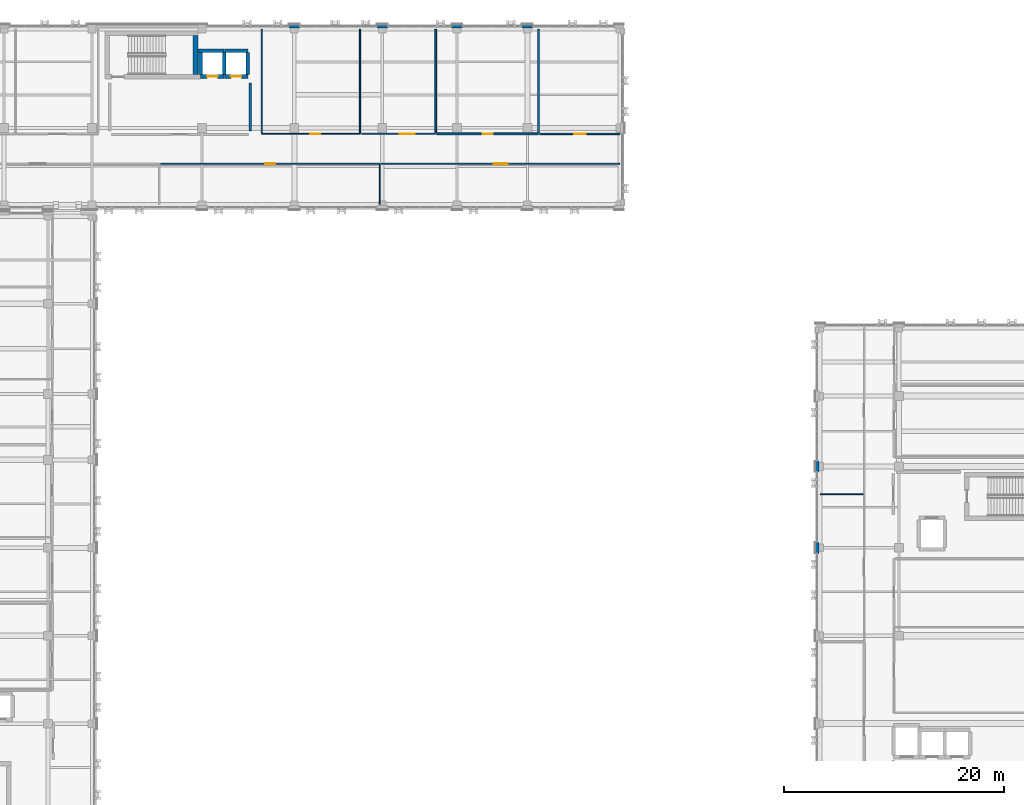
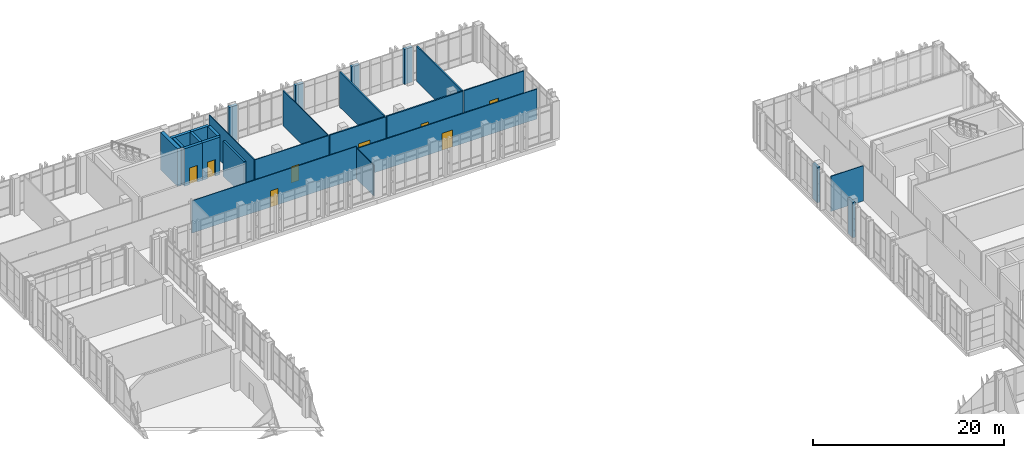
# One storey, part 157 of 189: 27 walls, 8 doors, 8 openings.
"""IFC4 building model written with IfcOpenShell, lengths in metres."""

from ifc_helpers import new_model, si_unit, direction, frame, frame_2d, origin, place, context, subcontext, project, spatial, rectangle, extrude, material, layer, layer_set, type_object, element, fill, save


model = new_model("IFC4")

# Units and contexts
model_context = context("Model", 3, precision=1e-05, world=origin(), true_north=direction((0.0, 1.0)))
body_context = subcontext(model_context, "Body", "Model", "MODEL_VIEW")
ifc_project = project(units=[si_unit("LENGTHUNIT", "METRE"), si_unit("AREAUNIT", "SQUARE_METRE"), si_unit("VOLUMEUNIT", "CUBIC_METRE"), si_unit("PLANEANGLEUNIT", "RADIAN"), si_unit("MASSUNIT", "GRAM", prefix="KILO")], contexts=[model_context])

# Site, building, storey
site_placement = place(None, origin())
site = spatial("IfcSite", under=ifc_project, at=site_placement, CompositionType="ELEMENT")
building_placement = place(site_placement, origin())
building = spatial("IfcBuilding", under=site, at=building_placement, Name="Qalavern Law Courts", CompositionType="ELEMENT")
storey_placement = place(building_placement, frame((0.0, 0.0, 5.39990234375)))
storey = spatial("IfcBuildingStorey", under=building, at=storey_placement, Name="L01", CompositionType="ELEMENT", Elevation=5.39990234375)

# Walls
ifc_material_1 = material(Name="Concrete C40/50", Category="concrete")
ifc_layer_1 = layer(ifc_material_1, 0.324951171875)
ifc_layer_set_1 = layer_set([ifc_layer_1], Name="Concrete C40/50")
wall_type_1 = type_object("IfcWallType", Name="ENV-EW-325", PredefinedType="SOLIDWALL", material=ifc_layer_set_1)
for number, where, z_axis, x_axis, name in (
    (1, (84.362548828125, 73.300048828125, 0.0), (0.0, 0.0, 1.0), (0.0, -1.0, 0.0), "V4 exterior pier wall L01 west 3"),
    (2, (84.362548828125, 65.89990234375, 0.0), (0.0, 0.0, 1.0), (0.0, -1.0, 0.0), "V4 exterior pier wall L01 west 4"),
    (3, (58.5, 112.83740234375, 0.0), (0.0, 0.0, 1.0), (-1.0, 0.0, 0.0), "V5 exterior pier wall L01 north 2"),
    (4, (52.10009765625, 112.83740234375, 0.0), (0.0, 0.0, 1.0), (-1.0, 0.0, 0.0), "V5 exterior pier wall L01 north 3"),
    (5, (45.300048828125, 112.83740234375, 0.0), (0.0, 0.0, 1.0), (-1.0, 0.0, 0.0), "V5 exterior pier wall L01 north 4"),
    (6, (37.300048828125, 112.83740234375, 0.0), (0.0, 0.0, 1.0), (-1.0, 0.0, 0.0), "V5 exterior pier wall L01 north 5"),
):
    element("IfcWall", number, at=place(storey_placement, frame(where, z_axis=z_axis, x_axis=x_axis)), inside=storey, type_object=wall_type_1, Name=name, PredefinedType="SOLIDWALL", context=body_context, shape_type="SweptSolid", body=[
        extrude(rectangle(XDim=1.0, YDim=0.324951171875, at=frame_2d((0.5, 0.0))), origin(), (0.0, 0.0, 1.0), 4.510009765625),
    ])
ifc_material_2 = material(Name="Concrete C45/55", Category="concrete")
ifc_layer_2 = layer(ifc_material_2, 0.4150390625)
ifc_layer_set_2 = layer_set([ifc_layer_2], Name="Concrete C45/55")
wall_type_2 = type_object("IfcWallType", Name="INT-CW-415", PredefinedType="SHEAR", material=ifc_layer_set_2)
wall_1_placement = place(storey_placement, frame((27.8076171875, 108.449951171875, 0.0), z_axis=(0.0, 0.0, 1.0), x_axis=(0.0, 1.0, 0.0)))
element("IfcWall", 7, at=wall_1_placement, inside=storey, type_object=wall_type_2, Name="Core K3 stair shear wall L01 east", PredefinedType="SHEAR", context=body_context, shape_type="SweptSolid", body=[
    extrude(rectangle(XDim=3.550048828125, YDim=0.4150390625, at=frame_2d((1.77490234375, 0.0))), origin(), (0.0, 0.0, 1.0), 4.800048828125),
])
ifc_layer_3 = layer(ifc_material_1, 0.22509765625)
ifc_layer_set_3 = layer_set([ifc_layer_3], Name="Concrete C40/50")
wall_type_3 = type_object("IfcWallType", Name="INT-FW-225", PredefinedType="PARTITIONING", material=ifc_layer_set_3)
wall_2_placement = place(storey_placement, frame((32.800048828125, 103.300048828125, 0.0), z_axis=(0.0, 0.0, 1.0), x_axis=(0.0, 1.0, 0.0)))
element("IfcWall", 8, at=wall_2_placement, inside=storey, type_object=wall_type_3, Name="Core K3 lobby return wall L01 east", PredefinedType="PARTITIONING", context=body_context, shape_type="SweptSolid", body=[
    extrude(rectangle(XDim=4.39990234375, YDim=0.22509765625, at=frame_2d((2.199951171875, 0.0))), origin(), (0.0, 0.0, 1.0), 4.510009765625),
])
ifc_material_3 = material(Name="Gypsum shaft/chase partition")
ifc_layer_4 = layer(ifc_material_3, 0.092041015625)
ifc_layer_set_4 = layer_set([ifc_layer_4], Name="Gypsum shaft/chase partition")
wall_type_4 = type_object("IfcWallType", Name="INT-PW-092", PredefinedType="PARTITIONING", material=ifc_layer_set_4)
wall_3_placement = place(storey_placement, frame((84.639892578125, 70.25390625, 0.0), z_axis=(0.0, 0.0, 1.0), x_axis=(1.0, 0.0, 0.0)))
element("IfcWall", 9, at=wall_3_placement, inside=storey, type_object=wall_type_4, Name="Commercial Courtroom cross partition L01 north", PredefinedType="PARTITIONING", context=body_context, shape_type="SweptSolid", body=[
    extrude(rectangle(XDim=3.93408203125, YDim=0.092041015625, at=frame_2d((1.967041015625, 0.0))), origin(), (0.0, 0.0, 1.0), 4.510009765625),
])

# Wall, opening, door
wall_4_placement = place(storey_placement, frame((24.632080078125, 100.340087890625, 0.0), z_axis=(0.0, 0.0, 1.0), x_axis=(1.0, 0.0, 0.0)))
wall_4 = element("IfcWall", 10, at=wall_4_placement, inside=storey, type_object=wall_type_4, Name="Legal Bookstack Gallery corridor partition L01", PredefinedType="PARTITIONING", context=body_context, shape_type="SweptSolid", body=[
    extrude(rectangle(XDim=19.948974609375, YDim=0.092041015625, at=frame_2d((9.974609375, 0.0))), origin(), (0.0, 0.0, 1.0), 4.130126953125),
])
opening_1_placement = place(wall_4_placement, frame((9.509521484375, 0.0, 0.0)))
opening_1 = element("IfcOpeningElement", 11, at=opening_1_placement, cuts=wall_4, Name="Opening L01-D351", PredefinedType="OPENING", context=body_context, shape_type="SweptSolid", body=[
    extrude(rectangle(XDim=0.929931640625, YDim=2.080078125, at=frame_2d((0.46484375, 1.0400390625))), frame((0.0, 0.06103515625, 0.0), z_axis=(0.0, -1.0, 0.0), x_axis=(1.0, 0.0, 0.0)), (0.0, 0.0, 1.0), 0.121826171875),
])
ifc_material_4 = material(Name="Steel Legal Archive Vault door", Category="steel")
door_type_1 = type_object("IfcDoorType", Name="INT-ID-930x2080", OperationType="NOTDEFINED", PredefinedType="DOOR", material=ifc_material_4)
door_1_placement = place(opening_1_placement, frame((0.929931640625, 0.0, 0.0), z_axis=(0.0, 0.0, 1.0), x_axis=(-1.0, 0.0, 0.0)))
door_1 = element("IfcDoor", 12, at=door_1_placement, inside=storey, type_object=door_type_1, Name="Legal Bookstack Gallery door L01", OperationType="SINGLE_SWING_LEFT", OverallHeight=2.080078125, OverallWidth=0.929931640625, PredefinedType="DOOR", context=body_context, shape_type="SweptSolid", body=[
    extrude(rectangle(XDim=0.929931640625, YDim=2.080078125, at=frame_2d((0.46484375, 1.0400390625))), frame((0.0, 0.02490234375, 0.0), z_axis=(0.0, -1.0, 0.0), x_axis=(1.0, 0.0, 0.0)), (0.0, 0.0, 1.0), 0.050048828125),
])
fill(opening_1, door_1)

# Wall
wall_5_placement = place(storey_placement, frame((44.5810546875, 96.639892578125, 0.0), z_axis=(0.0, 0.0, 1.0), x_axis=(0.0, 1.0, 0.0)))
element("IfcWall", 13, at=wall_5_placement, inside=storey, type_object=wall_type_4, Name="Legal Bookstack Gallery cross partition L01 east", PredefinedType="PARTITIONING", context=body_context, shape_type="SweptSolid", body=[
    extrude(rectangle(XDim=3.634033203125, YDim=0.092041015625, at=frame_2d((1.81689453125, 0.0))), origin(), (0.0, 0.0, 1.0), 3.940185546875),
])

# Wall, opening, door
ifc_material_5 = material(Name="Gypsum sanitary partition")
ifc_layer_5 = layer(ifc_material_5, 0.10205078125)
ifc_layer_set_5 = layer_set([ifc_layer_5], Name="Gypsum sanitary partition")
wall_type_5 = type_object("IfcWallType", Name="INT-PW-102", PredefinedType="PARTITIONING", material=ifc_layer_set_5)
wall_6_placement = place(storey_placement, frame((33.840087890625, 103.06005859375, 0.0), z_axis=(0.0, 0.0, 1.0), x_axis=(1.0, 0.0, 0.0)))
wall_6 = element("IfcWall", 14, at=wall_6_placement, inside=storey, type_object=wall_type_5, Name="Accessible WC corridor partition L01", PredefinedType="PARTITIONING", context=body_context, shape_type="SweptSolid", body=[
    extrude(rectangle(XDim=8.93994140625, YDim=0.10205078125, at=frame_2d((4.469970703125, 0.0))), origin(), (0.0, 0.0, 1.0), 4.510009765625),
])
opening_2_placement = place(wall_6_placement, frame((4.39990234375, 0.0, 0.0)))
opening_2 = element("IfcOpeningElement", 15, at=opening_2_placement, cuts=wall_6, Name="Opening L01-D353", PredefinedType="OPENING", context=body_context, shape_type="SweptSolid", body=[
    extrude(rectangle(XDim=0.93994140625, YDim=2.070068359375, at=frame_2d((0.469970703125, 1.03515625))), frame((0.0, 0.06591796875, 0.0), z_axis=(0.0, -1.0, 0.0), x_axis=(1.0, 0.0, 0.0)), (0.0, 0.0, 1.0), 0.1318359375),
])
ifc_material_6 = material(Name="Accessible WC outward-clear door")
door_type_2 = type_object("IfcDoorType", Name="INT-ID-940x2070", OperationType="NOTDEFINED", PredefinedType="DOOR", material=ifc_material_6)
door_2_placement = place(opening_2_placement, origin())
door_2 = element("IfcDoor", 16, at=door_2_placement, inside=storey, type_object=door_type_2, Name="Accessible WC door L01", OperationType="SINGLE_SWING_LEFT", OverallHeight=2.070068359375, OverallWidth=0.93994140625, PredefinedType="DOOR", context=body_context, shape_type="SweptSolid", body=[
    extrude(rectangle(XDim=0.93994140625, YDim=2.070068359375, at=frame_2d((0.469970703125, 1.03515625))), frame((0.0, 0.02490234375, 0.0), z_axis=(0.0, -1.0, 0.0), x_axis=(1.0, 0.0, 0.0)), (0.0, 0.0, 1.0), 0.050048828125),
])
fill(opening_2, door_2)

# Walls
for number, where, z_axis, x_axis, name in (
    (17, (33.840087890625, 103.131103515625, 0.0), (0.0, 0.0, 1.0), (0.0, 1.0, 0.0), "Accessible WC cross partition L01 west"),
    (18, (42.780029296875, 103.131103515625, 0.0), (0.0, 0.0, 1.0), (0.0, 1.0, 0.0), "Accessible WC cross partition L01 east"),
):
    element("IfcWall", number, at=place(storey_placement, frame(where, z_axis=z_axis, x_axis=x_axis)), inside=storey, type_object=wall_type_5, Name=name, PredefinedType="PARTITIONING", context=body_context, shape_type="SweptSolid", body=[
        extrude(rectangle(XDim=9.428955078125, YDim=0.10205078125, at=frame_2d((4.71435546875, 0.0))), origin(), (0.0, 0.0, 1.0), 4.510009765625),
    ])

# Wall, opening, door
ifc_material_7 = material(Name="Gypsum stud partition")
ifc_layer_6 = layer(ifc_material_7, 0.112060546875)
ifc_layer_set_6 = layer_set([ifc_layer_6], Name="Gypsum stud partition")
wall_type_6 = type_object("IfcWallType", Name="INT-PW-112", PredefinedType="PARTITIONING", material=ifc_layer_set_6)
wall_7_placement = place(storey_placement, frame((44.700927734375, 100.340087890625, 0.0), z_axis=(0.0, 0.0, 1.0), x_axis=(1.0, 0.0, 0.0)))
wall_7 = element("IfcWall", 19, at=wall_7_placement, inside=storey, type_object=wall_type_6, Name="Legal Research Room corridor partition L01", PredefinedType="PARTITIONING", context=body_context, shape_type="SweptSolid", body=[
    extrude(rectangle(XDim=21.718994140625, YDim=0.112060546875, at=frame_2d((10.859375, 0.0))), origin(), (0.0, 0.0, 1.0), 3.840087890625),
])
opening_3_placement = place(wall_7_placement, frame((10.219482421875, 0.0, 0.0)))
opening_3 = element("IfcOpeningElement", 20, at=opening_3_placement, cuts=wall_7, Name="Opening L01-D352", PredefinedType="OPENING", context=body_context, shape_type="SweptSolid", body=[
    extrude(rectangle(XDim=1.280029296875, YDim=2.179931640625, at=frame_2d((0.64013671875, 1.08984375))), frame((0.0, 0.07080078125, 0.0), z_axis=(0.0, -1.0, 0.0), x_axis=(1.0, 0.0, 0.0)), (0.0, 0.0, 1.0), 0.141845703125),
])
ifc_material_8 = material(Name="Wide oak Judicial Conference door")
door_type_3 = type_object("IfcDoorType", Name="INT-ID-1280x2180", OperationType="NOTDEFINED", PredefinedType="DOOR", material=ifc_material_8)
door_3_placement = place(opening_3_placement, frame((1.280029296875, 0.0, 0.0), z_axis=(0.0, 0.0, 1.0), x_axis=(-1.0, 0.0, 0.0)))
door_3 = element("IfcDoor", 21, at=door_3_placement, inside=storey, type_object=door_type_3, Name="Legal Research Room door L01", OperationType="SINGLE_SWING_RIGHT", OverallHeight=2.179931640625, OverallWidth=1.280029296875, PredefinedType="DOOR", context=body_context, shape_type="SweptSolid", body=[
    extrude(rectangle(XDim=1.280029296875, YDim=2.179931640625, at=frame_2d((0.64013671875, 1.08984375))), frame((0.0, 0.02490234375, 0.0), z_axis=(0.0, -1.0, 0.0), x_axis=(1.0, 0.0, 0.0)), (0.0, 0.0, 1.0), 0.050048828125),
])
fill(opening_3, door_3)

ifc_layer_7 = layer(ifc_material_7, 0.14208984375)
ifc_layer_set_7 = layer_set([ifc_layer_7], Name="Gypsum stud partition")
wall_type_7 = type_object("IfcWallType", Name="INT-PW-142", PredefinedType="PARTITIONING", material=ifc_layer_set_7)
wall_8_placement = place(storey_placement, frame((59.1298828125, 103.06005859375, 0.0), z_axis=(0.0, 0.0, 1.0), x_axis=(1.0, 0.0, 0.0)))
wall_8 = element("IfcWall", 22, at=wall_8_placement, inside=storey, type_object=wall_type_7, Name="Legal Research Room corridor partition L01", PredefinedType="PARTITIONING", context=body_context, shape_type="SweptSolid", body=[
    extrude(rectangle(XDim=7.2900390625, YDim=0.14208984375, at=frame_2d((3.64501953125, 0.0))), origin(), (0.0, 0.0, 1.0), 4.510009765625),
])
opening_4_placement = place(wall_8_placement, frame((3.114990234375, 0.0, 0.0)))
opening_4 = element("IfcOpeningElement", 23, at=opening_4_placement, cuts=wall_8, Name="Opening L01-D356", PredefinedType="OPENING", context=body_context, shape_type="SweptSolid", body=[
    extrude(rectangle(XDim=1.06005859375, YDim=2.1201171875, at=frame_2d((0.530029296875, 1.06005859375))), frame((0.0, 0.0859375, 0.0), z_axis=(0.0, -1.0, 0.0), x_axis=(1.0, 0.0, 0.0)), (0.0, 0.0, 1.0), 0.171875),
])
ifc_material_9 = material(Name="Solid oak Trial Judges' Chambers door")
door_type_4 = type_object("IfcDoorType", Name="INT-ID-1060x2120", OperationType="NOTDEFINED", PredefinedType="DOOR", material=ifc_material_9)
door_4_placement = place(opening_4_placement, origin())
door_4 = element("IfcDoor", 24, at=door_4_placement, inside=storey, type_object=door_type_4, Name="Legal Research Room door L01", OperationType="SINGLE_SWING_LEFT", OverallHeight=2.1201171875, OverallWidth=1.06005859375, PredefinedType="DOOR", context=body_context, shape_type="SweptSolid", body=[
    extrude(rectangle(XDim=1.06005859375, YDim=2.1201171875, at=frame_2d((0.530029296875, 1.06005859375))), frame((0.0, 0.02490234375, 0.0), z_axis=(0.0, -1.0, 0.0), x_axis=(1.0, 0.0, 0.0)), (0.0, 0.0, 1.0), 0.050048828125),
])
fill(opening_4, door_4)

ifc_layer_8 = layer(ifc_material_7, 0.162109375)
ifc_layer_set_8 = layer_set([ifc_layer_8], Name="Gypsum stud partition")
wall_type_8 = type_object("IfcWallType", Name="INT-PW-162", PredefinedType="PARTITIONING", material=ifc_layer_set_8)
wall_9_placement = place(storey_placement, frame((42.89990234375, 103.06005859375, 0.0), z_axis=(0.0, 0.0, 1.0), x_axis=(1.0, 0.0, 0.0)))
wall_9 = element("IfcWall", 25, at=wall_9_placement, inside=storey, type_object=wall_type_8, Name="Law Library Reading Room corridor partition L01", PredefinedType="PARTITIONING", context=body_context, shape_type="SweptSolid", body=[
    extrude(rectangle(XDim=6.757080078125, YDim=0.162109375, at=frame_2d((3.37841796875, 0.0))), origin(), (0.0, 0.0, 1.0), 4.510009765625),
])
opening_5_placement = place(wall_9_placement, frame((3.478515625, 0.0, 0.0)))
opening_5 = element("IfcOpeningElement", 26, at=opening_5_placement, cuts=wall_9, Name="Opening L01-D354", PredefinedType="OPENING", context=body_context, shape_type="SweptSolid", body=[
    extrude(rectangle(XDim=1.39990234375, YDim=2.199951171875, at=frame_2d((0.699951171875, 1.10009765625))), frame((0.0, 0.095947265625, 0.0), z_axis=(0.0, -1.0, 0.0), x_axis=(1.0, 0.0, 0.0)), (0.0, 0.0, 1.0), 0.19189453125),
])
ifc_material_10 = material(Name="Oak double Case Registry door")
door_type_5 = type_object("IfcDoorType", Name="INT-ID-1400x2200", OperationType="DOUBLE_DOOR_SINGLE_SWING", PredefinedType="DOOR", material=ifc_material_10)
door_5_placement = place(opening_5_placement, origin())
door_5 = element("IfcDoor", 27, at=door_5_placement, inside=storey, type_object=door_type_5, Name="Law Library Reading Room door L01", OperationType="DOUBLE_DOOR_SINGLE_SWING", OverallHeight=2.199951171875, OverallWidth=1.39990234375, PredefinedType="DOOR", context=body_context, shape_type="SweptSolid", body=[
    extrude(rectangle(XDim=1.39990234375, YDim=2.199951171875, at=frame_2d((0.699951171875, 1.10009765625))), frame((0.0, 0.02490234375, 0.0), z_axis=(0.0, -1.0, 0.0), x_axis=(1.0, 0.0, 0.0)), (0.0, 0.0, 1.0), 0.050048828125),
])
fill(opening_5, door_5)

# Wall
wall_10_placement = place(storey_placement, frame((49.656982421875, 103.160888671875, 0.0), z_axis=(0.0, 0.0, 1.0), x_axis=(0.0, 1.0, 0.0)))
element("IfcWall", 28, at=wall_10_placement, inside=storey, type_object=wall_type_8, Name="Law Library Reading Room cross partition L01 east", PredefinedType="PARTITIONING", context=body_context, shape_type="SweptSolid", body=[
    extrude(rectangle(XDim=9.399169921875, YDim=0.162109375, at=frame_2d((4.69970703125, 0.0))), origin(), (0.0, 0.0, 1.0), 4.510009765625),
])

# Wall, opening, door
ifc_material_11 = material(Name="Gypsum acoustic stud partition")
ifc_layer_9 = layer(ifc_material_11, 0.174072265625)
ifc_layer_set_9 = layer_set([ifc_layer_9], Name="Gypsum acoustic stud partition")
wall_type_9 = type_object("IfcWallType", Name="INT-PW-174", PredefinedType="PARTITIONING", material=ifc_layer_set_9)
wall_11_placement = place(storey_placement, frame((49.777099609375, 103.06005859375, 0.0), z_axis=(0.0, 0.0, 1.0), x_axis=(1.0, 0.0, 0.0)))
wall_11 = element("IfcWall", 29, at=wall_11_placement, inside=storey, type_object=wall_type_9, Name="Legal Bookstack Gallery corridor partition L01", PredefinedType="PARTITIONING", context=body_context, shape_type="SweptSolid", body=[
    extrude(rectangle(XDim=9.23291015625, YDim=0.174072265625, at=frame_2d((4.616455078125, 0.0))), origin(), (0.0, 0.0, 1.0), 4.510009765625),
])
opening_6_placement = place(wall_11_placement, frame((4.151611328125, 0.0, 0.0)))
opening_6 = element("IfcOpeningElement", 30, at=opening_6_placement, cuts=wall_11, Name="Opening L01-D355", PredefinedType="OPENING", context=body_context, shape_type="SweptSolid", body=[
    extrude(rectangle(XDim=0.929931640625, YDim=2.080078125, at=frame_2d((0.46484375, 1.0400390625))), frame((0.0, 0.10205078125, 0.0), z_axis=(0.0, -1.0, 0.0), x_axis=(1.0, 0.0, 0.0)), (0.0, 0.0, 1.0), 0.203857421875),
])
door_6_placement = place(opening_6_placement, origin())
door_6 = element("IfcDoor", 31, at=door_6_placement, inside=storey, type_object=door_type_1, Name="Legal Bookstack Gallery door L01", OperationType="SINGLE_SWING_RIGHT", OverallHeight=2.080078125, OverallWidth=0.929931640625, PredefinedType="DOOR", context=body_context, shape_type="SweptSolid", body=[
    extrude(rectangle(XDim=0.929931640625, YDim=2.080078125, at=frame_2d((0.46484375, 1.0400390625))), frame((0.0, 0.02490234375, 0.0), z_axis=(0.0, -1.0, 0.0), x_axis=(1.0, 0.0, 0.0)), (0.0, 0.0, 1.0), 0.050048828125),
])
fill(opening_6, door_6)

# Wall
wall_12_placement = place(storey_placement, frame((59.010009765625, 103.1669921875, 0.0), z_axis=(0.0, 0.0, 1.0), x_axis=(0.0, 1.0, 0.0)))
element("IfcWall", 32, at=wall_12_placement, inside=storey, type_object=wall_type_9, Name="Legal Bookstack Gallery cross partition L01 east", PredefinedType="PARTITIONING", context=body_context, shape_type="SweptSolid", body=[
    extrude(rectangle(XDim=9.39306640625, YDim=0.174072265625, at=frame_2d((4.696533203125, 0.0))), origin(), (0.0, 0.0, 1.0), 4.510009765625),
])

# Wall, opening, door
ifc_layer_10 = layer(ifc_material_2, 0.344970703125)
ifc_layer_set_10 = layer_set([ifc_layer_10], Name="Concrete C45/55")
wall_type_10 = type_object("IfcWallType", Name="INT-SW-345", PredefinedType="SHEAR", material=ifc_layer_set_10)
wall_13_placement = place(storey_placement, frame((28.277587890625, 108.277587890625, 0.0), z_axis=(0.0, 0.0, 1.0), x_axis=(1.0, 0.0, 0.0)))
wall_13 = element("IfcWall", 33, at=wall_13_placement, inside=storey, type_object=wall_type_10, Name="Lift LF-J1 shaft wall L01 south", PredefinedType="SHEAR", context=body_context, shape_type="SweptSolid", body=[
    extrude(rectangle(XDim=2.14501953125, YDim=0.344970703125, at=frame_2d((1.072509765625, 0.0))), origin(), (0.0, 0.0, 1.0), 4.800048828125),
])
opening_7_placement = place(wall_13_placement, frame((0.592529296875, 0.0, 0.0)))
opening_7 = element("IfcOpeningElement", 34, at=opening_7_placement, cuts=wall_13, Name="Opening LD-LF-J1-L01", PredefinedType="OPENING", context=body_context, shape_type="SweptSolid", body=[
    extrude(rectangle(XDim=0.9599609375, YDim=2.1201171875, at=frame_2d((0.47998046875, 1.06005859375))), frame((0.0, 0.1875, 0.0), z_axis=(0.0, -1.0, 0.0), x_axis=(1.0, 0.0, 0.0)), (0.0, 0.0, 1.0), 0.374755859375),
])
ifc_material_12 = material(Name="Heavy-gauge steel judicial lift sliding landing door", Category="steel")
door_type_6 = type_object("IfcDoorType", Name="INT-LD-960x2120", OperationType="SLIDING_TO_LEFT", PredefinedType="DOOR", material=ifc_material_12)
door_7_placement = place(opening_7_placement, origin())
door_7 = element("IfcDoor", 35, at=door_7_placement, inside=storey, type_object=door_type_6, Name="Lift LF-J1 sliding landing door L01", OperationType="SLIDING_TO_LEFT", OverallHeight=2.1201171875, OverallWidth=0.9599609375, PredefinedType="DOOR", context=body_context, shape_type="SweptSolid", body=[
    extrude(rectangle(XDim=0.9599609375, YDim=2.1201171875, at=frame_2d((0.47998046875, 1.06005859375))), frame((0.0, 0.02490234375, 0.0), z_axis=(0.0, -1.0, 0.0), x_axis=(1.0, 0.0, 0.0)), (0.0, 0.0, 1.0), 0.050048828125),
])
fill(opening_7, door_7)

# Walls
wall_14_placement = place(storey_placement, frame((30.422607421875, 108.449951171875, 0.0), z_axis=(0.0, 0.0, 1.0), x_axis=(0.0, 1.0, 0.0)))
element("IfcWall", 36, at=wall_14_placement, inside=storey, type_object=wall_type_10, Name="Lift LF-J1 shaft wall L01 east", PredefinedType="SHEAR", context=body_context, shape_type="SweptSolid", body=[
    extrude(rectangle(XDim=2.0, YDim=0.344970703125, at=frame_2d((1.0, 0.0))), origin(), (0.0, 0.0, 1.0), 4.800048828125),
])
wall_15_placement = place(storey_placement, frame((30.422607421875, 110.62255859375, 0.0), z_axis=(0.0, 0.0, 1.0), x_axis=(-1.0, 0.0, 0.0)))
element("IfcWall", 37, at=wall_15_placement, inside=storey, type_object=wall_type_10, Name="Lift LF-J1 shaft wall L01 north", PredefinedType="SHEAR", context=body_context, shape_type="SweptSolid", body=[
    extrude(rectangle(XDim=2.404541015625, YDim=0.344970703125, at=frame_2d((1.2021484375, 0.0))), origin(), (0.0, 0.0, 1.0), 4.800048828125),
])
wall_16_placement = place(storey_placement, frame((28.277587890625, 110.449951171875, 0.0), z_axis=(0.0, 0.0, 1.0), x_axis=(0.0, -1.0, 0.0)))
element("IfcWall", 38, at=wall_16_placement, inside=storey, type_object=wall_type_10, Name="Lift LF-J1 shaft wall L01 west", PredefinedType="SHEAR", context=body_context, shape_type="SweptSolid", body=[
    extrude(rectangle(XDim=2.0, YDim=0.344970703125, at=frame_2d((1.0, 0.0))), origin(), (0.0, 0.0, 1.0), 4.800048828125),
])

# Wall, opening, door
wall_17_placement = place(storey_placement, frame((30.427490234375, 108.277587890625, 0.0), z_axis=(0.0, 0.0, 1.0), x_axis=(1.0, 0.0, 0.0)))
wall_17 = element("IfcWall", 39, at=wall_17_placement, inside=storey, type_object=wall_type_10, Name="Lift LF-J2 shaft wall L01 south", PredefinedType="SHEAR", context=body_context, shape_type="SweptSolid", body=[
    extrude(rectangle(XDim=2.14501953125, YDim=0.344970703125, at=frame_2d((1.072509765625, 0.0))), origin(), (0.0, 0.0, 1.0), 4.800048828125),
])
opening_8_placement = place(wall_17_placement, frame((0.592529296875, 0.0, 0.0)))
opening_8 = element("IfcOpeningElement", 40, at=opening_8_placement, cuts=wall_17, Name="Opening LD-LF-J2-L01", PredefinedType="OPENING", context=body_context, shape_type="SweptSolid", body=[
    extrude(rectangle(XDim=0.9599609375, YDim=2.1201171875, at=frame_2d((0.47998046875, 1.06005859375))), frame((0.0, 0.1875, 0.0), z_axis=(0.0, -1.0, 0.0), x_axis=(1.0, 0.0, 0.0)), (0.0, 0.0, 1.0), 0.374755859375),
])
door_8_placement = place(opening_8_placement, origin())
door_8 = element("IfcDoor", 41, at=door_8_placement, inside=storey, type_object=door_type_6, Name="Lift LF-J2 sliding landing door L01", OperationType="SLIDING_TO_LEFT", OverallHeight=2.1201171875, OverallWidth=0.9599609375, PredefinedType="DOOR", context=body_context, shape_type="SweptSolid", body=[
    extrude(rectangle(XDim=0.9599609375, YDim=2.1201171875, at=frame_2d((0.47998046875, 1.06005859375))), frame((0.0, 0.02490234375, 0.0), z_axis=(0.0, -1.0, 0.0), x_axis=(1.0, 0.0, 0.0)), (0.0, 0.0, 1.0), 0.050048828125),
])
fill(opening_8, door_8)

# Walls
wall_18_placement = place(storey_placement, frame((32.572509765625, 108.449951171875, 0.0), z_axis=(0.0, 0.0, 1.0), x_axis=(0.0, 1.0, 0.0)))
element("IfcWall", 42, at=wall_18_placement, inside=storey, type_object=wall_type_10, Name="Lift LF-J2 shaft wall L01 east", PredefinedType="SHEAR", context=body_context, shape_type="SweptSolid", body=[
    extrude(rectangle(XDim=2.0, YDim=0.344970703125, at=frame_2d((1.0, 0.0))), origin(), (0.0, 0.0, 1.0), 4.800048828125),
])
wall_19_placement = place(storey_placement, frame((32.572509765625, 110.62255859375, 0.0), z_axis=(0.0, 0.0, 1.0), x_axis=(-1.0, 0.0, 0.0)))
element("IfcWall", 43, at=wall_19_placement, inside=storey, type_object=wall_type_10, Name="Lift LF-J2 shaft wall L01 north", PredefinedType="SHEAR", context=body_context, shape_type="SweptSolid", body=[
    extrude(rectangle(XDim=2.14501953125, YDim=0.344970703125, at=frame_2d((1.072509765625, 0.0))), origin(), (0.0, 0.0, 1.0), 4.800048828125),
])

save(model, "model.ifc")
